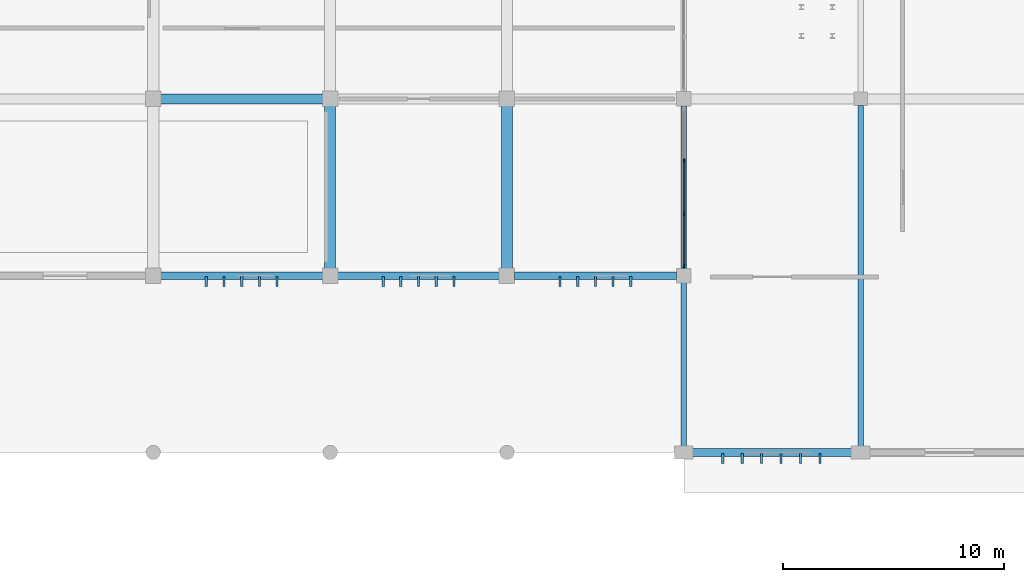
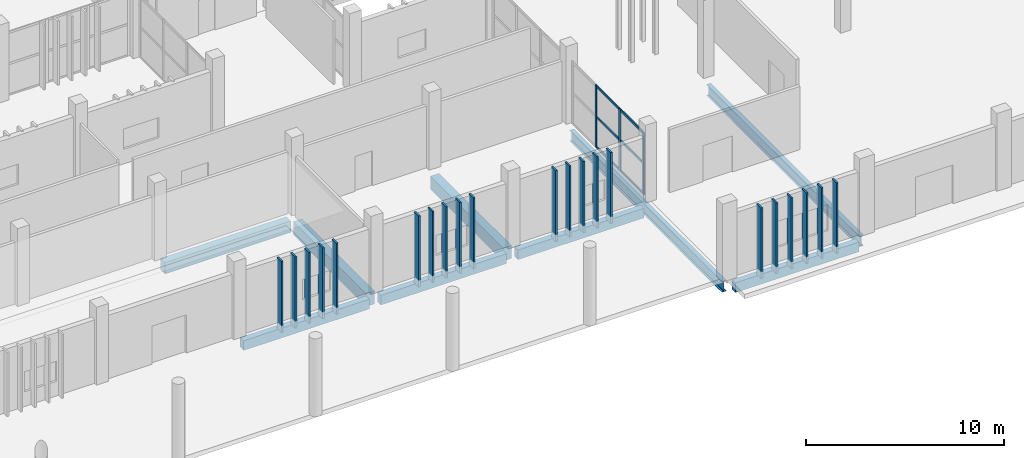
# One storey, part 57 of 117: 30 members, 9 beams, 1 element without a shape of its own.
"""IFC4 building model written with IfcOpenShell, lengths in metres."""

import ifcopenshell
import ifcopenshell.guid

model = None  # the IFC model being written
_history = None  # IfcOwnerHistory: only IFC2X3 demands one
_inside = {}  # id of a spatial element -> (the spatial element, [elements in it])
_under = {}  # id of a project, library or spatial element -> (it, [spatial elements below it])
_declared = {}  # id of a project -> (the project, [libraries it declares])
_typed = {}  # id of a type object -> (the type object, [elements of that type])
_made_of = {}  # id of a material, layer set ... -> (it, [elements and type objects made of it])


def new_model(schema):
    """Start an empty IFC model of exactly this schema.

    Asked for "IFC4X3", IfcOpenShell would pick the latest addendum, in which some entities
    have other attributes; the version numbers below select the first issue.
    IFC2X3 requires an IfcOwnerHistory on every rooted entity: one is made here for all.
    """
    global model, _history
    if schema == "IFC4X3":
        model = ifcopenshell.file(schema_version=(4, 3, 0, 0))
    else:
        model = ifcopenshell.file(schema=schema)
    _inside.clear()
    _under.clear()
    _declared.clear()
    _typed.clear()
    _made_of.clear()
    _history = None
    if model.schema == "IFC2X3":
        org = make("IfcOrganization", Name="unknown")
        user = make(
            "IfcPersonAndOrganization",
            ThePerson=make("IfcPerson", FamilyName="unknown"),
            TheOrganization=org,
        )
        app = make(
            "IfcApplication",
            ApplicationDeveloper=org,
            Version="unknown",
            ApplicationFullName="unknown",
            ApplicationIdentifier="unknown",
        )
        _history = make(
            "IfcOwnerHistory",
            OwningUser=user,
            OwningApplication=app,
            ChangeAction="ADDED",
            CreationDate=0,
        )
    return model


def make(cls, **values):
    """One entity of the class cls with the attributes given. An attribute that is None is left unset."""
    return model.create_entity(
        cls, **{name: value for name, value in values.items() if value is not None}
    )


def rooted(cls, **values):
    """An entity with a GlobalId (a new one), such as an element, a storey or a relation."""
    return make(cls, GlobalId=ifcopenshell.guid.new(), OwnerHistory=_history, **values)


def si_unit(unit_type, name, prefix=None):
    """IfcSIUnit, for example si_unit("LENGTHUNIT", "METRE", prefix="MILLI")."""
    return make("IfcSIUnit", UnitType=unit_type, Prefix=prefix, Name=name)


def assignment(units):
    """IfcUnitAssignment: the units of a project."""
    return None if units is None else make("IfcUnitAssignment", Units=units)


def point(xyz):
    """IfcCartesianPoint."""
    return None if xyz is None else make("IfcCartesianPoint", Coordinates=xyz)


def direction(xyz):
    """IfcDirection."""
    return None if xyz is None else make("IfcDirection", DirectionRatios=xyz)


def frame(location, z_axis=None, x_axis=None):
    """IfcAxis2Placement3D, a coordinate frame: its origin and axes. An axis left out is left unset."""
    return make(
        "IfcAxis2Placement3D",
        Location=point(location),
        Axis=direction(z_axis),
        RefDirection=direction(x_axis),
    )


def frame_2d(location, x_axis=None):
    """IfcAxis2Placement2D, a coordinate frame in the plane: its origin and x axis."""
    return make(
        "IfcAxis2Placement2D", Location=point(location), RefDirection=direction(x_axis)
    )


def origin():
    """The frame at (0, 0, 0) with its axes left unset."""
    return frame((0.0, 0.0, 0.0))


def origin_2d():
    """The frame at (0, 0) in the plane with its x axis left unset."""
    return frame_2d((0.0, 0.0))


def place(relative_to, where):
    """IfcLocalPlacement: puts the frame where relative to a parent placement (None: the world)."""
    return make(
        "IfcLocalPlacement", PlacementRelTo=relative_to, RelativePlacement=where
    )


def context(
    kind, dimensions, precision=None, world=None, true_north=None, identifier=None
):
    """IfcGeometricRepresentationContext, for example the 3D "Model" context."""
    return make(
        "IfcGeometricRepresentationContext",
        ContextIdentifier=identifier,
        ContextType=kind,
        CoordinateSpaceDimension=dimensions,
        Precision=precision,
        WorldCoordinateSystem=world,
        TrueNorth=true_north,
    )


def subcontext(parent, identifier, kind, view, scale=None):
    """IfcGeometricRepresentationSubContext, for example "Body" below "Model"."""
    return make(
        "IfcGeometricRepresentationSubContext",
        ContextIdentifier=identifier,
        ContextType=kind,
        ParentContext=parent,
        TargetScale=scale,
        TargetView=view,
    )


def project(units=None, contexts=None):
    """IfcProject with its units and contexts."""
    return rooted(
        "IfcProject",
        Name="project",
        RepresentationContexts=contexts,
        UnitsInContext=assignment(units),
    )


def spatial(cls, under=None, at=None, **own):
    """A site, building, storey or space (cls), placed at a placement, below another one or the project."""
    s = rooted(cls, ObjectPlacement=at, **own)
    if under is not None:
        _under.setdefault(under.id(), (under, []))[1].append(s)
    return s


def profile(cls, at=None, kind="AREA", **sizes):
    """A parametric profile (cls). Its sizes go by their IFC names, for example OverallWidth=200.0."""
    return make(cls, ProfileType=kind, Position=at, **sizes)


def rectangle(**sizes):
    """IfcRectangleProfileDef."""
    return profile("IfcRectangleProfileDef", **sizes)


def i_section(**sizes):
    """IfcIShapeProfileDef."""
    return profile("IfcIShapeProfileDef", **sizes)


def extrude(swept, where, along, depth):
    """IfcExtrudedAreaSolid: the profile swept, set in the frame where, extruded along a direction by depth."""
    return make(
        "IfcExtrudedAreaSolid",
        SweptArea=swept,
        Position=where,
        ExtrudedDirection=direction(along),
        Depth=depth,
    )


def shape(context_of_items, identifier, shape_type, items):
    """IfcShapeRepresentation: the items that make up one representation, for example the "Body"."""
    return make(
        "IfcShapeRepresentation",
        ContextOfItems=context_of_items,
        RepresentationIdentifier=identifier,
        RepresentationType=shape_type,
        Items=items,
    )


def material(Name=None, Category=None):
    """IfcMaterial."""
    return make("IfcMaterial", Name=Name, Category=Category)


def layer(
    of_material, thickness, ventilated=None, Name=None, Category=None, Priority=None
):
    """IfcMaterialLayer: one layer of a wall or slab, of a material (None: an air gap)."""
    return make(
        "IfcMaterialLayer",
        Material=of_material,
        LayerThickness=thickness,
        IsVentilated=ventilated,
        Name=Name,
        Category=Category,
        Priority=Priority,
    )


def layer_set(layers, Name=None):
    """IfcMaterialLayerSet."""
    return make("IfcMaterialLayerSet", MaterialLayers=layers, LayerSetName=Name)


def material_profile(
    of_material, cross_section, Name=None, Category=None, Priority=None
):
    """IfcMaterialProfile: a cross section and its material."""
    return make(
        "IfcMaterialProfile",
        Name=Name,
        Material=of_material,
        Profile=cross_section,
        Priority=Priority,
        Category=Category,
    )


def profile_set(profiles, Name=None, composite=None):
    """IfcMaterialProfileSet."""
    return make(
        "IfcMaterialProfileSet",
        Name=Name,
        MaterialProfiles=profiles,
        CompositeProfile=composite,
    )


def made_of(thing, what):
    """Note that an element or type object is made of a material, layer set ...; save() writes the relation."""
    if what is not None:
        _made_of.setdefault(what.id(), (what, []))[1].append(thing)
    return thing


def type_object(cls, material=None, **own):
    """A type object (cls), such as IfcWallType, which elements share."""
    return made_of(rooted(cls, **own), material)


def element(
    cls,
    number,
    at=None,
    inside=None,
    cuts=None,
    type_object=None,
    material=None,
    context=None,
    identifier="Body",
    shape_type=None,
    held_by="IfcProductDefinitionShape",
    body=None,
    shapes=None,
    **own,
):
    """One element of the class cls, such as IfcWall. Its Tag is "e" and its number.

    at: its placement. inside: the storey or other place that contains it. cuts: it is an
    opening in that element (IfcRelVoidsElement). A single representation is given by context,
    identifier, shape_type and body (its items); several are given by shapes. held_by: the class
    of the entity that holds the representations. save() writes the other relations.
    """
    e = rooted(cls, Tag="e%d" % number, ObjectPlacement=at, **own)
    if body is not None:
        shapes = [shape(context, identifier, shape_type, body)]
    if shapes is not None:
        e.Representation = make(held_by, Representations=shapes)
    if inside is not None:
        _inside.setdefault(inside.id(), (inside, []))[1].append(e)
    if cuts is not None:
        rooted(
            "IfcRelVoidsElement", RelatingBuildingElement=cuts, RelatedOpeningElement=e
        )
    if type_object is not None:
        _typed.setdefault(type_object.id(), (type_object, []))[1].append(e)
    return made_of(e, material)


def aggregate(whole, parts):
    """IfcRelAggregates: a whole, such as a stair, and the parts it consists of."""
    return rooted("IfcRelAggregates", RelatingObject=whole, RelatedObjects=parts)


def save(model, path):
    """Write the relations noted so far, then the file.

    IfcRelAggregates (storeys below a building ...), IfcRelContainedInSpatialStructure (elements
    in a storey), IfcRelDefinesByType, IfcRelAssociatesMaterial and IfcRelDeclares: one each for
    every whole, place, type object, material and project.
    """
    for whole, parts in _under.values():
        aggregate(whole, parts)
    for where, things in _inside.values():
        rooted(
            "IfcRelContainedInSpatialStructure",
            RelatedElements=things,
            RelatingStructure=where,
        )
    for kind, things in _typed.values():
        rooted("IfcRelDefinesByType", RelatedObjects=things, RelatingType=kind)
    for what, things in _made_of.values():
        rooted("IfcRelAssociatesMaterial", RelatedObjects=things, RelatingMaterial=what)
    for by, libraries in _declared.values():
        rooted("IfcRelDeclares", RelatingContext=by, RelatedDefinitions=libraries)
    model.write(path)


model = new_model("IFC4")

# Units and contexts
model_context = context("Model", 3, precision=1e-05, world=origin(), true_north=direction((0.0, 1.0)))
body_context = subcontext(model_context, "Body", "Model", "MODEL_VIEW")
ifc_project = project(units=[si_unit("LENGTHUNIT", "METRE"), si_unit("AREAUNIT", "SQUARE_METRE"), si_unit("VOLUMEUNIT", "CUBIC_METRE"), si_unit("PLANEANGLEUNIT", "RADIAN"), si_unit("MASSUNIT", "GRAM", prefix="KILO")], contexts=[model_context])

# Site, building, storey
site_placement = place(None, origin())
site = spatial("IfcSite", under=ifc_project, at=site_placement, CompositionType="ELEMENT")
building_placement = place(site_placement, origin())
building = spatial("IfcBuilding", under=site, at=building_placement, Name="Jelvoka-Kovrelna Polytechnic", CompositionType="ELEMENT")
storey_placement = place(building_placement, origin())
storey = spatial("IfcBuildingStorey", under=building, at=storey_placement, Name="L01", CompositionType="ELEMENT", Elevation=0.0)

# Beams
ifc_material_1 = material(Name="Concrete C40/50", Category="concrete")
ifc_material_profile_1 = material_profile(ifc_material_1, rectangle(XDim=0.449951171875, YDim=0.699951171875, at=origin_2d()), Name="RC 450x700")
ifc_profile_set_1 = profile_set([ifc_material_profile_1], Name="Concrete C40/50")
beam_type_1 = type_object("IfcBeamType", Name="Beam_RC_450x700", PredefinedType="BEAM", material=ifc_profile_set_1)
beam_1_placement = place(storey_placement, frame((136.330078125, 16.0, -0.7548828125), z_axis=(1.0, 0.0, 0.0), x_axis=(0.0, 1.0, 0.0)))
element("IfcBeam", 1, at=beam_1_placement, inside=storey, type_object=beam_type_1, Name="L01 beam 0347", PredefinedType="BEAM", context=body_context, shape_type="SweptSolid", body=[
    extrude(rectangle(XDim=0.449951171875, YDim=0.699951171875, at=origin_2d()), origin(), (0.0, 0.0, 1.0), 7.33984375),
])
ifc_material_2 = material(Name="Concrete C40/50", Category="concrete")
ifc_material_profile_2 = material_profile(ifc_material_2, rectangle(XDim=0.5, YDim=0.800048828125, at=origin_2d()), Name="RC 500x800")
ifc_profile_set_2 = profile_set([ifc_material_profile_2], Name="Concrete C40/50")
beam_type_2 = type_object("IfcBeamType", Name="Beam_RC_500x800", PredefinedType="BEAM", material=ifc_profile_set_2)
for number, where, z_axis, x_axis, name in (
    (2, (144.0, 8.330078125, -0.804931640625), (0.0, 1.0, 0.0), (-1.0, 0.0, 0.0), "L01 beam 0362"),
    (3, (152.0, 8.330078125, -0.804931640625), (0.0, 1.0, 0.0), (-1.0, 0.0, 0.0), "L01 beam 0364"),
):
    element("IfcBeam", number, at=place(storey_placement, frame(where, z_axis=z_axis, x_axis=x_axis)), inside=storey, type_object=beam_type_2, Name=name, PredefinedType="BEAM", context=body_context, shape_type="SweptSolid", body=[
        extrude(rectangle(XDim=0.5, YDim=0.800048828125, at=origin_2d()), origin(), (0.0, 0.0, 1.0), 7.33984375),
    ])
ifc_material_3 = material(Name="Structural steel S355JR", Category="steel")
ifc_material_profile_3 = material_profile(ifc_material_3, i_section(OverallWidth=0.2529296875, OverallDepth=0.677978515625, WebThickness=0.01171875, FlangeThickness=0.01611328125, FilletRadius=0.01513671875, at=origin_2d()), Name="686x254x125 UB")
ifc_profile_set_3 = profile_set([ifc_material_profile_3], Name="Structural steel S355JR")
beam_type_3 = type_object("IfcBeamType", Name="Girder_Steel_UB686", PredefinedType="BEAM", material=ifc_profile_set_3)
beam_2_placement = place(storey_placement, frame((160.0, 0.280029296875, -0.7490234375), z_axis=(0.0, 1.0, 0.0), x_axis=(-1.0, 0.0, 0.0)))
element("IfcBeam", 4, at=beam_2_placement, inside=storey, type_object=beam_type_3, Name="L01 beam 0130", PredefinedType="BEAM", context=body_context, shape_type="SweptSolid", body=[
    extrude(i_section(OverallWidth=0.2529296875, OverallDepth=0.677978515625, WebThickness=0.01171875, FlangeThickness=0.01611328125, FilletRadius=0.01513671875, at=origin_2d()), origin(), (0.0, 0.0, 1.0), 15.389892578125),
])
beam_3_placement = place(storey_placement, frame((168.0, 0.280029296875, -0.7490234375), z_axis=(0.0, 1.0, 0.0), x_axis=(-1.0, 0.0, 0.0)))
element("IfcBeam", 5, at=beam_3_placement, inside=storey, type_object=beam_type_3, Name="L01 beam 0132", PredefinedType="BEAM", context=body_context, shape_type="SweptSolid", body=[
    extrude(i_section(OverallWidth=0.2529296875, OverallDepth=0.677978515625, WebThickness=0.01171875, FlangeThickness=0.01611328125, FilletRadius=0.01513671875, at=origin_2d()), origin(), (0.0, 0.0, 1.0), 15.4150390625),
])

# Members
ifc_material_4 = material(Name="Precast concrete C40/50", Category="concrete")
ifc_material_profile_4 = material_profile(ifc_material_4, rectangle(XDim=0.10009765625, YDim=0.449951171875, at=origin_2d()), Name="PC 100x450")
ifc_profile_set_4 = profile_set([ifc_material_profile_4], Name="Precast concrete C40/50")
member_type_1 = type_object("IfcMemberType", Name="Louvre_Fin_100x450", PredefinedType="USERDEFINED", material=ifc_profile_set_4)
for number, where, z_axis, x_axis, name in (
    (6, (138.39990234375, 7.735107421875, -0.419921875), (0.0, 0.0, 1.0), (1.0, 0.0, 0.0), "L01 B1 south vertical solar louvre fin 0081"),
    (7, (139.199951171875, 7.735107421875, -0.419921875), (0.0, 0.0, 1.0), (1.0, 0.0, 0.0), "L01 B1 south vertical solar louvre fin 0082"),
    (8, (140.0, 7.735107421875, -0.419921875), (0.0, 0.0, 1.0), (1.0, 0.0, 0.0), "L01 B1 south vertical solar louvre fin 0083"),
    (9, (140.800048828125, 7.735107421875, -0.419921875), (0.0, 0.0, 1.0), (1.0, 0.0, 0.0), "L01 B1 south vertical solar louvre fin 0084"),
    (10, (141.60009765625, 7.735107421875, -0.419921875), (0.0, 0.0, 1.0), (1.0, 0.0, 0.0), "L01 B1 south vertical solar louvre fin 0085"),
    (11, (146.39990234375, 7.735107421875, -0.419921875), (0.0, 0.0, 1.0), (1.0, 0.0, 0.0), "L01 B1 south vertical solar louvre fin 0091"),
    (12, (147.199951171875, 7.735107421875, -0.419921875), (0.0, 0.0, 1.0), (1.0, 0.0, 0.0), "L01 B1 south vertical solar louvre fin 0092"),
    (13, (148.0, 7.735107421875, -0.419921875), (0.0, 0.0, 1.0), (1.0, 0.0, 0.0), "L01 B1 south vertical solar louvre fin 0093"),
    (14, (148.800048828125, 7.735107421875, -0.419921875), (0.0, 0.0, 1.0), (1.0, 0.0, 0.0), "L01 B1 south vertical solar louvre fin 0094"),
    (15, (149.60009765625, 7.735107421875, -0.419921875), (0.0, 0.0, 1.0), (1.0, 0.0, 0.0), "L01 B1 south vertical solar louvre fin 0095"),
    (16, (154.39990234375, 7.735107421875, -0.419921875), (0.0, 0.0, 1.0), (1.0, 0.0, 0.0), "L01 B1 south vertical solar louvre fin 0096"),
    (17, (155.199951171875, 7.735107421875, -0.419921875), (0.0, 0.0, 1.0), (1.0, 0.0, 0.0), "L01 B1 south vertical solar louvre fin 0097"),
    (18, (156.0, 7.735107421875, -0.419921875), (0.0, 0.0, 1.0), (1.0, 0.0, 0.0), "L01 B1 south vertical solar louvre fin 0098"),
    (19, (156.800048828125, 7.735107421875, -0.419921875), (0.0, 0.0, 1.0), (1.0, 0.0, 0.0), "L01 B1 south vertical solar louvre fin 0099"),
    (20, (157.60009765625, 7.735107421875, -0.419921875), (0.0, 0.0, 1.0), (1.0, 0.0, 0.0), "L01 B1 south vertical solar louvre fin 0100"),
):
    element("IfcMember", number, at=place(storey_placement, frame(where, z_axis=z_axis, x_axis=x_axis)), inside=storey, type_object=member_type_1, Name=name, ObjectType="SUNSHADE", PredefinedType="USERDEFINED", context=body_context, shape_type="SweptSolid", body=[
        extrude(rectangle(XDim=0.10009765625, YDim=0.449951171875, at=origin_2d()), origin(), (0.0, 0.0, 1.0), 4.3798828125),
    ])
for number, where, z_axis, x_axis, name in (
    (21, (161.760009765625, -0.264892578125, -0.419921875), (0.0, 0.0, 1.0), (1.0, 0.0, 0.0), "L01 V5 south solar louvre fin 2392"),
    (22, (162.639892578125, -0.264892578125, -0.419921875), (0.0, 0.0, 1.0), (1.0, 0.0, 0.0), "L01 V5 south solar louvre fin 2393"),
    (23, (163.52001953125, -0.264892578125, -0.419921875), (0.0, 0.0, 1.0), (1.0, 0.0, 0.0), "L01 V5 south solar louvre fin 2394"),
    (24, (164.39990234375, -0.264892578125, -0.419921875), (0.0, 0.0, 1.0), (1.0, 0.0, 0.0), "L01 V5 south solar louvre fin 2395"),
    (25, (165.280029296875, -0.264892578125, -0.419921875), (0.0, 0.0, 1.0), (1.0, 0.0, 0.0), "L01 V5 south solar louvre fin 2396"),
    (26, (166.159912109375, -0.264892578125, -0.419921875), (0.0, 0.0, 1.0), (1.0, 0.0, 0.0), "L01 V5 south solar louvre fin 2397"),
):
    element("IfcMember", number, at=place(storey_placement, frame(where, z_axis=z_axis, x_axis=x_axis)), inside=storey, type_object=member_type_1, Name=name, ObjectType="SUNSHADE", PredefinedType="USERDEFINED", context=body_context, shape_type="SweptSolid", body=[
        extrude(rectangle(XDim=0.10009765625, YDim=0.449951171875, at=origin_2d()), origin(), (0.0, 0.0, 1.0), 4.35986328125),
    ])

# Curtain wall, members
ifc_material_5 = material(Name="Anodised aluminium 6063-T6", Category="aluminium")
ifc_layer = layer(ifc_material_5, 0.179931640625)
ifc_layer_set = layer_set([ifc_layer], Name="Anodised aluminium 6063-T6")
curtain_wall_type = type_object("IfcCurtainWallType", Name="CW_Pavilion", PredefinedType="NOTDEFINED", material=ifc_layer_set)
curtain_wall_placement = place(storey_placement, origin())
curtain_wall = element("IfcCurtainWall", 27, at=curtain_wall_placement, inside=storey, type_object=curtain_wall_type, Name="L01 glazed curtain wall 272", PredefinedType="NOTDEFINED")
ifc_material_6 = material(Name="Anodised aluminium 6063-T6", Category="aluminium")
ifc_material_profile_5 = material_profile(ifc_material_6, rectangle(XDim=0.06494140625, YDim=0.179931640625, at=origin_2d()), Name="ALU 65x180")
ifc_profile_set_5 = profile_set([ifc_material_profile_5], Name="Anodised aluminium 6063-T6")
member_type_2 = type_object("IfcMemberType", Name="Mullion_M-05", PredefinedType="MULLION", material=ifc_profile_set_5)
member_1_placement = place(storey_placement, frame((160.0, 8.4326171875, -0.02490234375), z_axis=(0.0, 0.0, 1.0), x_axis=(-1.0, 0.0, 0.0)))
member_1 = element("IfcMember", 28, at=member_1_placement, type_object=member_type_2, Name="CW-05 mullion 1", PredefinedType="MULLION", context=body_context, shape_type="SweptSolid", body=[
    extrude(rectangle(XDim=0.06494140625, YDim=0.179931640625, at=origin_2d()), origin(), (0.0, 0.0, 1.0), 3.862060546875),
])
member_2_placement = place(storey_placement, frame((160.0, 10.800048828125, -0.02490234375), z_axis=(0.0, 0.0, 1.0), x_axis=(-1.0, 0.0, 0.0)))
member_2 = element("IfcMember", 29, at=member_2_placement, type_object=member_type_2, Name="CW-05 mullion 2", PredefinedType="MULLION", context=body_context, shape_type="SweptSolid", body=[
    extrude(rectangle(XDim=0.06494140625, YDim=0.179931640625, at=origin_2d()), origin(), (0.0, 0.0, 1.0), 3.862060546875),
])
member_3_placement = place(storey_placement, frame((160.0, 13.199951171875, -0.02490234375), z_axis=(0.0, 0.0, 1.0), x_axis=(-1.0, 0.0, 0.0)))
member_3 = element("IfcMember", 30, at=member_3_placement, type_object=member_type_2, Name="CW-05 mullion 3", PredefinedType="MULLION", context=body_context, shape_type="SweptSolid", body=[
    extrude(rectangle(XDim=0.06494140625, YDim=0.179931640625, at=origin_2d()), origin(), (0.0, 0.0, 1.0), 3.862060546875),
])

# Beams
ifc_material_7 = material(Name="Concrete C40/50", Category="concrete")
ifc_material_profile_6 = material_profile(ifc_material_7, rectangle(XDim=0.35009765625, YDim=0.60009765625, at=origin_2d()), Name="RC 350x600")
ifc_profile_set_6 = profile_set([ifc_material_profile_6], Name="Concrete C40/50")
beam_type_4 = type_object("IfcBeamType", Name="Spandrel_RC_350x600", PredefinedType="SPANDREL", material=ifc_profile_set_6)
beam_4_placement = place(storey_placement, frame((160.405029296875, 0.0, -0.7099609375), z_axis=(1.0, 0.0, 0.0), x_axis=(0.0, 1.0, 0.0)))
element("IfcBeam", 31, at=beam_4_placement, inside=storey, type_object=beam_type_4, Name="L01 beam 0142", PredefinedType="SPANDREL", context=body_context, shape_type="SweptSolid", body=[
    extrude(rectangle(XDim=0.35009765625, YDim=0.60009765625, at=origin_2d()), origin(), (0.0, 0.0, 1.0), 7.18994140625),
])
for number, where, z_axis, x_axis, name in (
    (32, (136.330078125, 8.0, -0.705078125), (1.0, 0.0, 0.0), (0.0, 1.0, 0.0), "L01 beam 0341"),
    (33, (144.330078125, 8.0, -0.705078125), (1.0, 0.0, 0.0), (0.0, 1.0, 0.0), "L01 beam 0342"),
    (34, (152.330078125, 8.0, -0.705078125), (1.0, 0.0, 0.0), (0.0, 1.0, 0.0), "L01 beam 0343"),
):
    element("IfcBeam", number, at=place(storey_placement, frame(where, z_axis=z_axis, x_axis=x_axis)), inside=storey, type_object=beam_type_4, Name=name, PredefinedType="SPANDREL", context=body_context, shape_type="SweptSolid", body=[
        extrude(rectangle(XDim=0.35009765625, YDim=0.60009765625, at=origin_2d()), origin(), (0.0, 0.0, 1.0), 7.33984375),
    ])

# Member
ifc_material_8 = material(Name="Anodised aluminium 6063-T6", Category="aluminium")
ifc_material_profile_7 = material_profile(ifc_material_8, rectangle(XDim=0.06494140625, YDim=0.135009765625, at=origin_2d()), Name="ALU 65x135")
ifc_profile_set_7 = profile_set([ifc_material_profile_7], Name="Anodised aluminium 6063-T6")
member_type_3 = type_object("IfcMemberType", Name="Transom_T-05", PredefinedType="USERDEFINED", material=ifc_profile_set_7)
member_4_placement = place(storey_placement, frame((160.0, 8.465087890625, 0.032470703125), z_axis=(0.0, 1.0, 0.0), x_axis=(-1.0, 0.0, 0.0)))
member_4 = element("IfcMember", 35, at=member_4_placement, type_object=member_type_3, Name="CW-05 transom 1.1", ObjectType="TRANSOM", PredefinedType="USERDEFINED", context=body_context, shape_type="SweptSolid", body=[
    extrude(rectangle(XDim=0.06494140625, YDim=0.135009765625, at=origin_2d()), origin(), (0.0, 0.0, 1.0), 2.302490234375),
])

member_5_placement = place(storey_placement, frame((160.0, 8.465087890625, 1.906005859375), z_axis=(0.0, 1.0, 0.0), x_axis=(-1.0, 0.0, 0.0)))
member_5 = element("IfcMember", 36, at=member_5_placement, type_object=member_type_3, Name="CW-05 transom 1.2", ObjectType="TRANSOM", PredefinedType="USERDEFINED", context=body_context, shape_type="SweptSolid", body=[
    extrude(rectangle(XDim=0.06494140625, YDim=0.135009765625, at=origin_2d()), origin(), (0.0, 0.0, 1.0), 2.302490234375),
])

member_6_placement = place(storey_placement, frame((160.0, 8.465087890625, 3.779541015625), z_axis=(0.0, 1.0, 0.0), x_axis=(-1.0, 0.0, 0.0)))
member_6 = element("IfcMember", 37, at=member_6_placement, type_object=member_type_3, Name="CW-05 transom 1.3", ObjectType="TRANSOM", PredefinedType="USERDEFINED", context=body_context, shape_type="SweptSolid", body=[
    extrude(rectangle(XDim=0.06494140625, YDim=0.135009765625, at=origin_2d()), origin(), (0.0, 0.0, 1.0), 2.302490234375),
])

member_7_placement = place(storey_placement, frame((160.0, 10.83251953125, 0.032470703125), z_axis=(0.0, 1.0, 0.0), x_axis=(-1.0, 0.0, 0.0)))
member_7 = element("IfcMember", 38, at=member_7_placement, type_object=member_type_3, Name="CW-05 transom 2.1", ObjectType="TRANSOM", PredefinedType="USERDEFINED", context=body_context, shape_type="SweptSolid", body=[
    extrude(rectangle(XDim=0.06494140625, YDim=0.135009765625, at=origin_2d()), origin(), (0.0, 0.0, 1.0), 2.3349609375),
])

member_8_placement = place(storey_placement, frame((160.0, 10.83251953125, 1.906005859375), z_axis=(0.0, 1.0, 0.0), x_axis=(-1.0, 0.0, 0.0)))
member_8 = element("IfcMember", 39, at=member_8_placement, type_object=member_type_3, Name="CW-05 transom 2.2", ObjectType="TRANSOM", PredefinedType="USERDEFINED", context=body_context, shape_type="SweptSolid", body=[
    extrude(rectangle(XDim=0.06494140625, YDim=0.135009765625, at=origin_2d()), origin(), (0.0, 0.0, 1.0), 2.3349609375),
])

member_9_placement = place(storey_placement, frame((160.0, 10.83251953125, 3.779541015625), z_axis=(0.0, 1.0, 0.0), x_axis=(-1.0, 0.0, 0.0)))
member_9 = element("IfcMember", 40, at=member_9_placement, type_object=member_type_3, Name="CW-05 transom 2.3", ObjectType="TRANSOM", PredefinedType="USERDEFINED", context=body_context, shape_type="SweptSolid", body=[
    extrude(rectangle(XDim=0.06494140625, YDim=0.135009765625, at=origin_2d()), origin(), (0.0, 0.0, 1.0), 2.3349609375),
])

aggregate(curtain_wall, [member_1, member_2, member_3, member_4, member_5, member_6, member_7, member_8, member_9])

save(model, "model.ifc")
